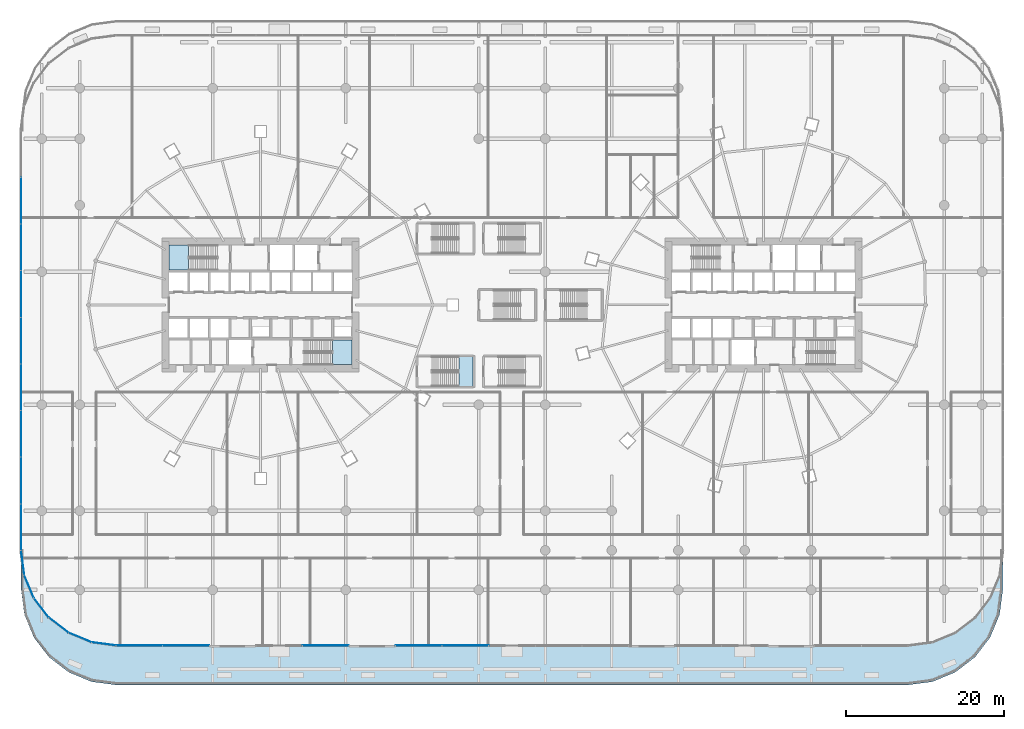
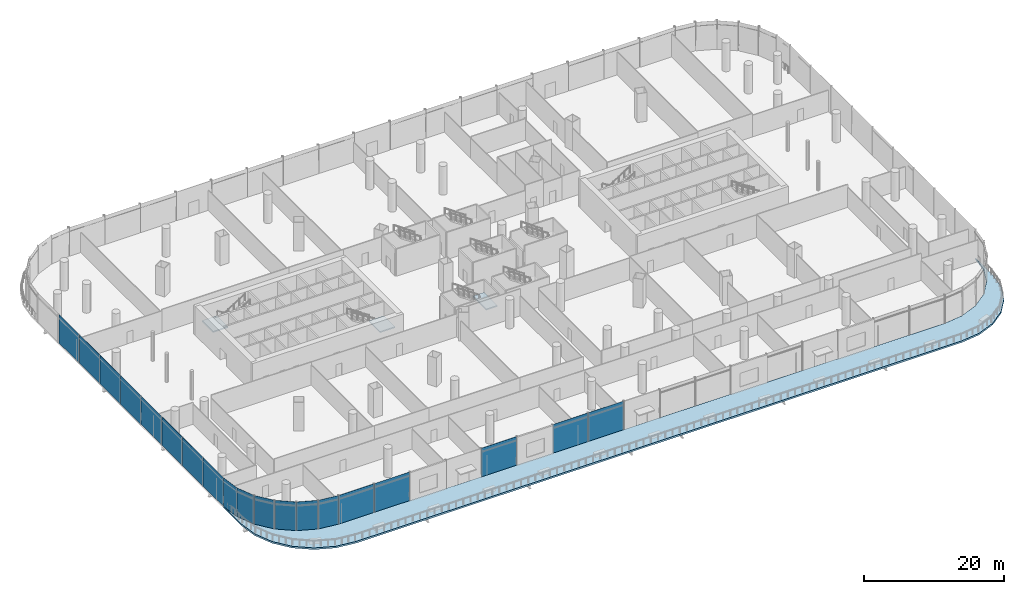
# One storey, part 31 of 51: 19 plates, 4 slabs, 4 elements without a shape of their own.
"""IFC4 building model written with IfcOpenShell, lengths in metres."""

from ifc_helpers import new_model, si_unit, direction, frame, origin, origin_2d, place, context, subcontext, project, spatial, polyline, rectangle, outline, extrude, material, layer, layer_set, type_object, element, aggregate, save


model = new_model("IFC4")

# Units and contexts
model_context = context("Model", 3, precision=1e-05, world=origin(), true_north=direction((0.0, 1.0)))
body_context = subcontext(model_context, "Body", "Model", "MODEL_VIEW")
ifc_project = project(units=[si_unit("LENGTHUNIT", "METRE"), si_unit("AREAUNIT", "SQUARE_METRE"), si_unit("VOLUMEUNIT", "CUBIC_METRE"), si_unit("PLANEANGLEUNIT", "RADIAN"), si_unit("MASSUNIT", "GRAM", prefix="KILO")], contexts=[model_context])

# Site, building, storey
site_placement = place(None, origin())
site = spatial("IfcSite", under=ifc_project, at=site_placement, CompositionType="ELEMENT")
building_placement = place(site_placement, origin())
building = spatial("IfcBuilding", under=site, at=building_placement, Name="Rimbun Link Towers", CompositionType="ELEMENT")
storey_placement = place(building_placement, frame((0.0, 0.0, 7.0)))
storey = spatial("IfcBuildingStorey", under=building, at=storey_placement, Name="L01", CompositionType="ELEMENT", Elevation=7.0)

# Curtain wall, plates
ifc_material_1 = material(Name="Aluminium 6063-T6 and low-iron glass", Category="aluminium")
curtain_wall_type = type_object("IfcCurtainWallType", Name="CW3 podium shopfront", PredefinedType="NOTDEFINED", material=ifc_material_1)
curtain_wall_placement = place(storey_placement, origin())
curtain_wall = element("IfcCurtainWall", 1, at=curtain_wall_placement, inside=storey, type_object=curtain_wall_type, Name="CW3 L01 PD", PredefinedType="NOTDEFINED")
ifc_material_2 = material(Name="Clear toughened low-iron glass", Category="glass")
ifc_layer_1 = layer(ifc_material_2, 0.02392578125)
ifc_layer_set_1 = layer_set([ifc_layer_1], Name="CW3 panel Clear toughened low-iron glass 24")
plate_type = type_object("IfcPlateType", Name="CW3 panel Clear toughened low-iron glass 24", PredefinedType="CURTAIN_PANEL", material=ifc_layer_set_1)
plate_1_placement = place(storey_placement, frame((-62.011962890625, 13.166748046875, 0.0), z_axis=(0.0, 0.0, 1.0), x_axis=(0.0, 1.0, 0.0)))
plate_1 = element("IfcPlate", 2, at=plate_1_placement, type_object=plate_type, Name="CW3 panel", PredefinedType="CURTAIN_PANEL", context=body_context, shape_type="SweptSolid", body=[
    extrude(rectangle(XDim=5.848876953125, YDim=0.02392578125, at=origin_2d()), origin(), (0.0, 0.0, 1.0), 5.0),
])
plate_2_placement = place(storey_placement, frame((-62.011962890625, 7.27783203125, 0.0), z_axis=(0.0, 0.0, 1.0), x_axis=(0.0, 1.0, 0.0)))
plate_2 = element("IfcPlate", 3, at=plate_2_placement, type_object=plate_type, Name="CW3 panel", PredefinedType="CURTAIN_PANEL", context=body_context, shape_type="SweptSolid", body=[
    extrude(rectangle(XDim=5.848876953125, YDim=0.02392578125, at=origin_2d()), origin(), (0.0, 0.0, 1.0), 5.0),
])
plate_3_placement = place(storey_placement, frame((-62.011962890625, 1.388916015625, 0.0), z_axis=(0.0, 0.0, 1.0), x_axis=(0.0, 1.0, 0.0)))
plate_3 = element("IfcPlate", 4, at=plate_3_placement, type_object=plate_type, Name="CW3 panel", PredefinedType="CURTAIN_PANEL", context=body_context, shape_type="SweptSolid", body=[
    extrude(rectangle(XDim=5.848876953125, YDim=0.02392578125, at=origin_2d()), origin(), (0.0, 0.0, 1.0), 5.0),
])
plate_4_placement = place(storey_placement, frame((-62.011962890625, -4.5, 0.0), z_axis=(0.0, 0.0, 1.0), x_axis=(0.0, 1.0, 0.0)))
plate_4 = element("IfcPlate", 5, at=plate_4_placement, type_object=plate_type, Name="CW3 panel", PredefinedType="CURTAIN_PANEL", context=body_context, shape_type="SweptSolid", body=[
    extrude(rectangle(XDim=5.848876953125, YDim=0.02392578125, at=origin_2d()), origin(), (0.0, 0.0, 1.0), 5.0),
])
plate_5_placement = place(storey_placement, frame((-62.011962890625, -10.388916015625, 0.0), z_axis=(0.0, 0.0, 1.0), x_axis=(0.0, 1.0, 0.0)))
plate_5 = element("IfcPlate", 6, at=plate_5_placement, type_object=plate_type, Name="CW3 panel", PredefinedType="CURTAIN_PANEL", context=body_context, shape_type="SweptSolid", body=[
    extrude(rectangle(XDim=5.848876953125, YDim=0.02392578125, at=origin_2d()), origin(), (0.0, 0.0, 1.0), 5.0),
])
plate_6_placement = place(storey_placement, frame((-62.011962890625, -16.27783203125, 0.0), z_axis=(0.0, 0.0, 1.0), x_axis=(0.0, 1.0, 0.0)))
plate_6 = element("IfcPlate", 7, at=plate_6_placement, type_object=plate_type, Name="CW3 panel", PredefinedType="CURTAIN_PANEL", context=body_context, shape_type="SweptSolid", body=[
    extrude(rectangle(XDim=5.848876953125, YDim=0.02392578125, at=origin_2d()), origin(), (0.0, 0.0, 1.0), 5.0),
])
plate_7_placement = place(storey_placement, frame((-62.011962890625, -22.166748046875, 0.0), z_axis=(0.0, 0.0, 1.0), x_axis=(0.0, 1.0, 0.0)))
plate_7 = element("IfcPlate", 8, at=plate_7_placement, type_object=plate_type, Name="CW3 panel", PredefinedType="CURTAIN_PANEL", context=body_context, shape_type="SweptSolid", body=[
    extrude(rectangle(XDim=5.848876953125, YDim=0.02392578125, at=origin_2d()), origin(), (0.0, 0.0, 1.0), 5.0),
])
plate_8_placement = place(storey_placement, frame((-62.011962890625, -28.0556640625, 0.0), z_axis=(0.0, 0.0, 1.0), x_axis=(0.0, 1.0, 0.0)))
plate_8 = element("IfcPlate", 9, at=plate_8_placement, type_object=plate_type, Name="CW3 panel", PredefinedType="CURTAIN_PANEL", context=body_context, shape_type="SweptSolid", body=[
    extrude(rectangle(XDim=5.848876953125, YDim=0.02392578125, at=origin_2d()), origin(), (0.0, 0.0, 1.0), 5.0),
])
plate_9_placement = place(storey_placement, frame((-61.807373046875, -32.554443359375, 0.0), z_axis=(0.0, 0.0, 1.0), x_axis=(-0.130530482602, 0.991444296525, 0.0)))
plate_9 = element("IfcPlate", 10, at=plate_9_placement, type_object=plate_type, Name="CW3 panel", PredefinedType="CURTAIN_PANEL", context=body_context, shape_type="SweptSolid", body=[
    extrude(rectangle(XDim=3.092529296875, YDim=0.02392578125, at=origin_2d()), origin(), (0.0, 0.0, 1.0), 5.0),
])
plate_10_placement = place(storey_placement, frame((-61.002685546875, -35.557373046875, 0.0), z_axis=(0.0, 0.0, 1.0), x_axis=(-0.382678829747, 0.923881438965, 0.0)))
plate_10 = element("IfcPlate", 11, at=plate_10_placement, type_object=plate_type, Name="CW3 panel", PredefinedType="CURTAIN_PANEL", context=body_context, shape_type="SweptSolid", body=[
    extrude(rectangle(XDim=3.0927734375, YDim=0.02392578125, at=origin_2d()), origin(), (0.0, 0.0, 1.0), 5.0),
])
plate_11_placement = place(storey_placement, frame((-59.4482421875, -38.25, 0.0), z_axis=(0.0, 0.0, 1.0), x_axis=(-0.608753841569, 0.793359162281, 0.0)))
plate_11 = element("IfcPlate", 12, at=plate_11_placement, type_object=plate_type, Name="CW3 panel", PredefinedType="CURTAIN_PANEL", context=body_context, shape_type="SweptSolid", body=[
    extrude(rectangle(XDim=3.092529296875, YDim=0.02392578125, at=origin_2d()), origin(), (0.0, 0.0, 1.0), 5.0),
])
plate_12_placement = place(storey_placement, frame((-57.25, -40.4482421875, 0.0), z_axis=(0.0, 0.0, 1.0), x_axis=(-0.793359162281, 0.608753841569, 0.0)))
plate_12 = element("IfcPlate", 13, at=plate_12_placement, type_object=plate_type, Name="CW3 panel", PredefinedType="CURTAIN_PANEL", context=body_context, shape_type="SweptSolid", body=[
    extrude(rectangle(XDim=3.092529296875, YDim=0.02392578125, at=origin_2d()), origin(), (0.0, 0.0, 1.0), 5.0),
])
plate_13_placement = place(storey_placement, frame((-54.557373046875, -42.002685546875, 0.0), z_axis=(0.0, 0.0, 1.0), x_axis=(-0.923881438965, 0.382678829747, 0.0)))
plate_13 = element("IfcPlate", 14, at=plate_13_placement, type_object=plate_type, Name="CW3 panel", PredefinedType="CURTAIN_PANEL", context=body_context, shape_type="SweptSolid", body=[
    extrude(rectangle(XDim=3.0927734375, YDim=0.02392578125, at=origin_2d()), origin(), (0.0, 0.0, 1.0), 5.0),
])
plate_14_placement = place(storey_placement, frame((-51.554443359375, -42.807373046875, 0.0), z_axis=(0.0, 0.0, 1.0), x_axis=(-0.991444296525, 0.130530482602, 0.0)))
plate_14 = element("IfcPlate", 15, at=plate_14_placement, type_object=plate_type, Name="CW3 panel", PredefinedType="CURTAIN_PANEL", context=body_context, shape_type="SweptSolid", body=[
    extrude(rectangle(XDim=3.092529296875, YDim=0.02392578125, at=origin_2d()), origin(), (0.0, 0.0, 1.0), 5.0),
])
plate_15_placement = place(storey_placement, frame((-47.058837890625, -43.011962890625, 0.0), z_axis=(0.0, 0.0, 1.0), x_axis=(-1.0, 0.0, 0.0)))
plate_15 = element("IfcPlate", 16, at=plate_15_placement, type_object=plate_type, Name="CW3 panel", PredefinedType="CURTAIN_PANEL", context=body_context, shape_type="SweptSolid", body=[
    extrude(rectangle(XDim=5.84228515625, YDim=0.02392578125, at=origin_2d()), origin(), (0.0, 0.0, 1.0), 5.0),
])
plate_16_placement = place(storey_placement, frame((-41.176513671875, -43.011962890625, 0.0), z_axis=(0.0, 0.0, 1.0), x_axis=(-1.0, 0.0, 0.0)))
plate_16 = element("IfcPlate", 17, at=plate_16_placement, type_object=plate_type, Name="CW3 panel", PredefinedType="CURTAIN_PANEL", context=body_context, shape_type="SweptSolid", body=[
    extrude(rectangle(XDim=5.84228515625, YDim=0.02392578125, at=origin_2d()), origin(), (0.0, 0.0, 1.0), 5.0),
])
plate_17_placement = place(storey_placement, frame((-23.529296875, -43.011962890625, 0.0), z_axis=(0.0, 0.0, 1.0), x_axis=(-1.0, 0.0, 0.0)))
plate_17 = element("IfcPlate", 18, at=plate_17_placement, type_object=plate_type, Name="CW3 panel", PredefinedType="CURTAIN_PANEL", context=body_context, shape_type="SweptSolid", body=[
    extrude(rectangle(XDim=5.84228515625, YDim=0.02392578125, at=origin_2d()), origin(), (0.0, 0.0, 1.0), 5.0),
])
plate_18_placement = place(storey_placement, frame((-11.7646484375, -43.011962890625, 0.0), z_axis=(0.0, 0.0, 1.0), x_axis=(-1.0, 0.0, 0.0)))
plate_18 = element("IfcPlate", 19, at=plate_18_placement, type_object=plate_type, Name="CW3 panel", PredefinedType="CURTAIN_PANEL", context=body_context, shape_type="SweptSolid", body=[
    extrude(rectangle(XDim=5.84228515625, YDim=0.02392578125, at=origin_2d()), origin(), (0.0, 0.0, 1.0), 5.0),
])
plate_19_placement = place(storey_placement, frame((-5.88232421875, -43.011962890625, 0.0), z_axis=(0.0, 0.0, 1.0), x_axis=(-1.0, 0.0, 0.0)))
plate_19 = element("IfcPlate", 20, at=plate_19_placement, type_object=plate_type, Name="CW3 panel", PredefinedType="CURTAIN_PANEL", context=body_context, shape_type="SweptSolid", body=[
    extrude(rectangle(XDim=5.84228515625, YDim=0.02392578125, at=origin_2d()), origin(), (0.0, 0.0, 1.0), 5.0),
])
aggregate(curtain_wall, [plate_1, plate_2, plate_3, plate_4, plate_5, plate_6, plate_7, plate_8, plate_9, plate_10, plate_11, plate_12, plate_13, plate_14, plate_15, plate_16, plate_17, plate_18, plate_19])

# Slab
ifc_material_3 = material(Name="Concrete C40/50", Category="concrete")
ifc_layer_2 = layer(ifc_material_3, 0.300048828125)
ifc_layer_set_2 = layer_set([ifc_layer_2], Name="PODIUM TERRACE SLAB 300")
slab_type_1 = type_object("IfcSlabType", Name="PODIUM TERRACE SLAB 300", PredefinedType="FLOOR", material=ifc_layer_set_2)
slab_1_placement = place(storey_placement, frame((0.0, 0.0, -0.300048828125)))
element("IfcSlab", 21, at=slab_1_placement, inside=storey, type_object=slab_type_1, Name="Terrace slab L01", PredefinedType="FLOOR", context=body_context, shape_type="SweptSolid", body=[
    extrude(outline(polyline([(61.591064453125, -39.105712890625), (60.392333984375, -42.0), (58.4853515625, -44.4853515625), (56.0, -46.392333984375), (53.105712890625, -47.591064453125), (50.0, -48.0), (-50.0, -48.0), (-53.105712890625, -47.591064453125), (-56.0, -46.392333984375), (-58.4853515625, -44.4853515625), (-60.392333984375, -42.0), (-61.591064453125, -39.105712890625), (-62.0, -36.0), (-62.0, -31.0), (-61.591064453125, -34.105712890625), (-60.392333984375, -37.0), (-58.4853515625, -39.4853515625), (-56.0, -41.392333984375), (-53.105712890625, -42.591064453125), (-50.0, -43.0), (50.0, -43.0), (53.105712890625, -42.591064453125), (56.0, -41.392333984375), (58.4853515625, -39.4853515625), (60.392333984375, -37.0), (61.591064453125, -34.105712890625), (62.0, -31.0), (62.0, -36.0), (61.591064453125, -39.105712890625)])), origin(), (0.0, 0.0, 1.0), 0.300048828125),
])

# Stair, slab
ifc_material_4 = material(Name="Concrete C40/50", Category="concrete")
stair_type_1 = type_object("IfcStairType", Name="Exit stair 5000 rise", PredefinedType="HALF_TURN_STAIR", material=ifc_material_4)
stair_1_placement = place(storey_placement, origin())
stair_1 = element("IfcStair", 22, at=stair_1_placement, inside=storey, type_object=stair_type_1, Name="L01 EXIT STAIR A", PredefinedType="HALF_TURN_STAIR")
ifc_material_5 = material(Name="Concrete C40/50", Category="concrete")
ifc_layer_3 = layer(ifc_material_5, 0.199951171875)
ifc_layer_set_3 = layer_set([ifc_layer_3], Name="Stair landing")
slab_type_2 = type_object("IfcSlabType", Name="Stair landing", PredefinedType="LANDING", material=ifc_layer_set_3)
slab_2_placement = place(storey_placement, frame((0.0, 0.0, 2.300048828125)))
slab_2 = element("IfcSlab", 23, at=slab_2_placement, type_object=slab_type_2, Name="ST1 landing 1", PredefinedType="LANDING", context=body_context, shape_type="SweptSolid", body=[
    extrude(outline(polyline([(-40.840087890625, 7.550048828125), (-43.300048828125, 7.550048828125), (-43.300048828125, 4.39990234375), (-40.840087890625, 4.39990234375), (-40.840087890625, 7.550048828125)])), origin(), (0.0, 0.0, 1.0), 0.199951171875),
])
aggregate(stair_1, [slab_2])

stair_2_placement = place(storey_placement, origin())
stair_2 = element("IfcStair", 24, at=stair_2_placement, inside=storey, type_object=stair_type_1, Name="L01 EXIT STAIR B", PredefinedType="HALF_TURN_STAIR")
slab_3_placement = place(storey_placement, frame((0.0, 0.0, 2.300048828125)))
slab_3 = element("IfcSlab", 25, at=slab_3_placement, type_object=slab_type_2, Name="ST2 landing 1", PredefinedType="LANDING", context=body_context, shape_type="SweptSolid", body=[
    extrude(outline(polyline([(-22.659912109375, -7.550048828125), (-20.199951171875, -7.550048828125), (-20.199951171875, -4.39990234375), (-22.659912109375, -4.39990234375), (-22.659912109375, -7.550048828125)])), origin(), (0.0, 0.0, 1.0), 0.199951171875),
])
aggregate(stair_2, [slab_3])

ifc_material_6 = material(Name="Concrete C40/50", Category="concrete")
stair_type_2 = type_object("IfcStairType", Name="Podium exit stair 1800", PredefinedType="HALF_TURN_STAIR", material=ifc_material_6)
stair_3_placement = place(storey_placement, origin())
stair_3 = element("IfcStair", 26, at=stair_3_placement, inside=storey, type_object=stair_type_2, Name="L01 PODIUM EXIT STAIR", PredefinedType="HALF_TURN_STAIR")
slab_4_placement = place(storey_placement, frame((0.0, 0.0, 2.300048828125)))
slab_4 = element("IfcSlab", 27, at=slab_4_placement, type_object=slab_type_2, Name="PS1 landing 1", PredefinedType="LANDING", context=body_context, shape_type="SweptSolid", body=[
    extrude(outline(polyline([(-6.719970703125, -10.27490234375), (-4.89990234375, -10.27490234375), (-4.89990234375, -6.52490234375), (-6.719970703125, -6.52490234375), (-6.719970703125, -10.27490234375)])), origin(), (0.0, 0.0, 1.0), 0.199951171875),
])
aggregate(stair_3, [slab_4])

save(model, "model.ifc")
